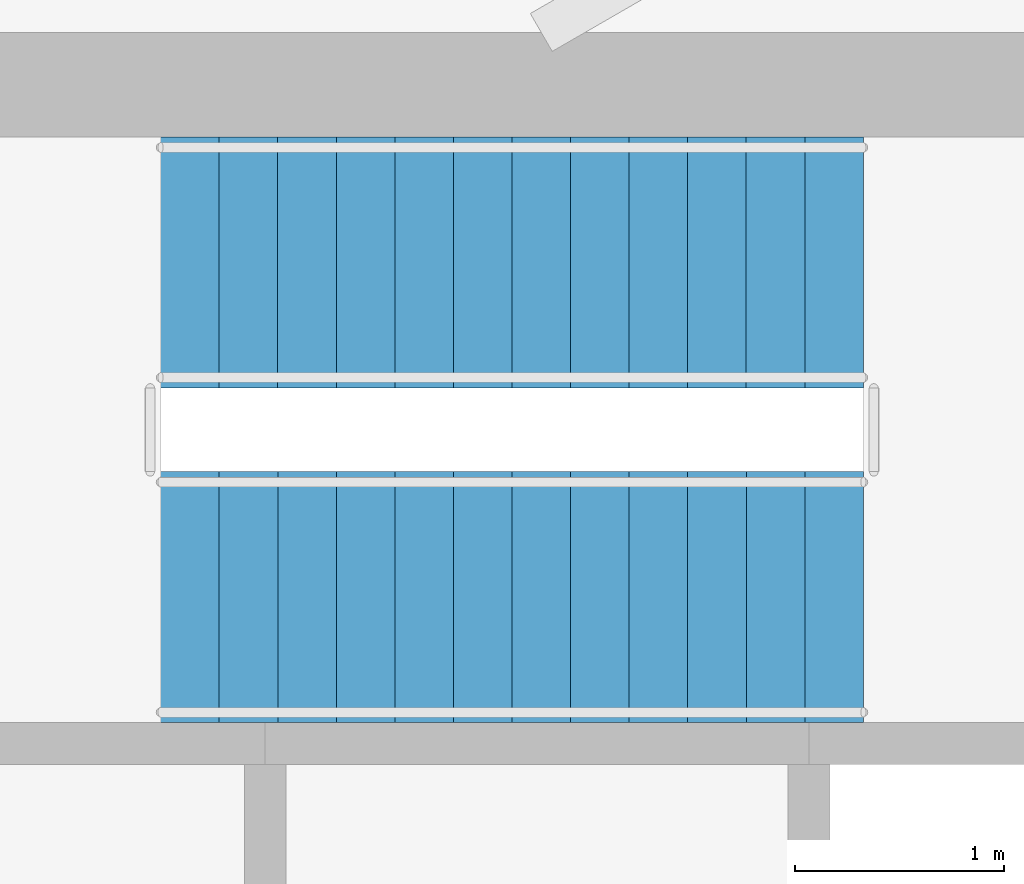
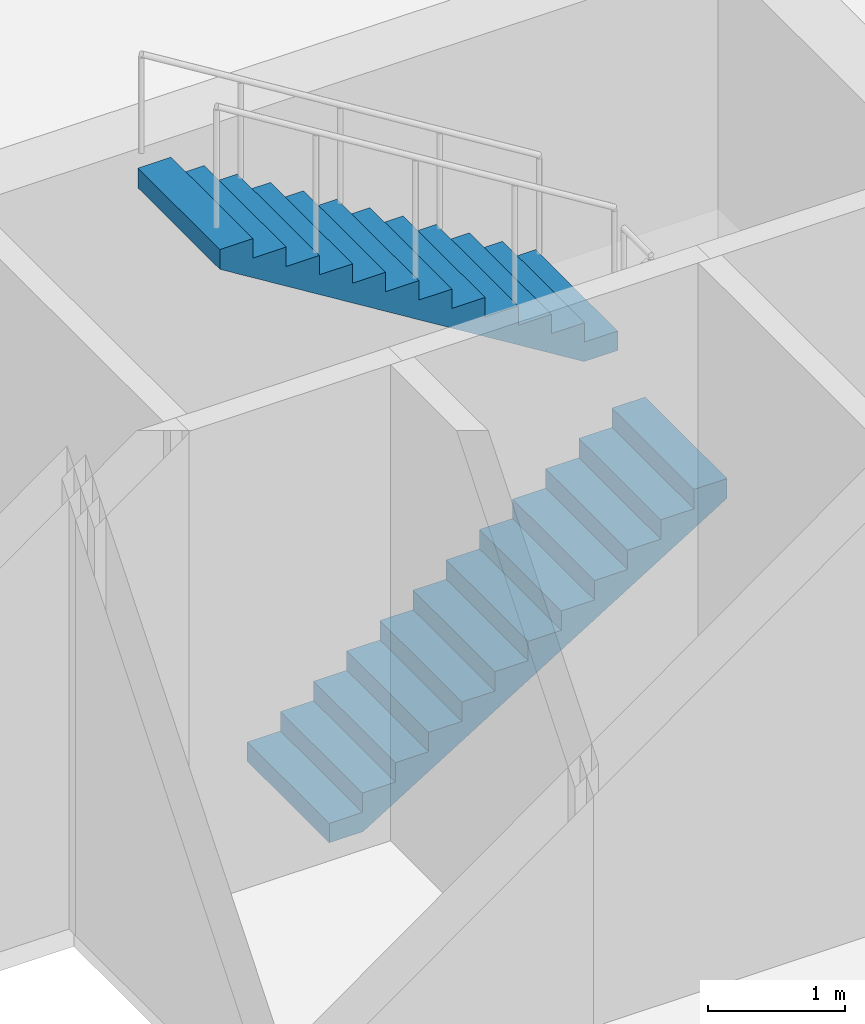
# One storey, part 8 of 10: 2 stair flights, 1 element without a shape of its own.
"""IFC4 building model written with IfcOpenShell, lengths in metres."""

from ifc_helpers import new_model, si_unit, direction, frame, origin, place, context, subcontext, project, spatial, polyline, outline, extrude, material, type_object, element, aggregate, save


model = new_model("IFC4")

# Units and contexts
model_context = context("Model", 3, precision=1e-05, world=origin(), true_north=direction((0.0, 1.0)))
body_context = subcontext(model_context, "Body", "Model", "MODEL_VIEW")
ifc_project = project(units=[si_unit("LENGTHUNIT", "METRE"), si_unit("AREAUNIT", "SQUARE_METRE"), si_unit("VOLUMEUNIT", "CUBIC_METRE"), si_unit("PLANEANGLEUNIT", "RADIAN"), si_unit("MASSUNIT", "GRAM", prefix="KILO")], contexts=[model_context])

# Site, building, storey
site_placement = place(None, origin())
site = spatial("IfcSite", under=ifc_project, at=site_placement, CompositionType="ELEMENT")
building_placement = place(site_placement, origin())
building = spatial("IfcBuilding", under=site, at=building_placement, Name="Sierra Prisma Convention Tower", CompositionType="ELEMENT")
storey_placement = place(building_placement, frame((0.0, 0.0, -4.5)))
storey = spatial("IfcBuildingStorey", under=building, at=storey_placement, Name="B1", CompositionType="ELEMENT", Elevation=-4.5)

# Stair, stair flights
ifc_material_1 = material(Name="Concrete C30/37", Category="concrete")
stair_type = type_object("IfcStairType", Name="Stair dog-leg 1200 RC", PredefinedType="HALF_TURN_STAIR", material=ifc_material_1)
stair_placement = place(storey_placement, origin())
stair = element("IfcStair", 1, at=stair_placement, inside=storey, type_object=stair_type, Name="B1 S4", PredefinedType="HALF_TURN_STAIR")
ifc_material_2 = material(Name="Concrete C30/37", Category="concrete")
stair_flight_type = type_object("IfcStairFlightType", Name="Stair flight RC 1200", PredefinedType="STRAIGHT", material=ifc_material_2)
stair_flight_1_placement = place(storey_placement, frame((5.60009765625, 5.300048828125, 0.0), z_axis=(0.0, 0.0, 1.0), x_axis=(1.0, 0.0, 0.0)))
stair_flight_1 = element("IfcStairFlight", 2, at=stair_flight_1_placement, type_object=stair_flight_type, Name="S4 flight 1", NumberOfRisers=13, NumberOfTreads=12, PredefinedType="STRAIGHT", RiserHeight=0.173076923, TreadLength=0.28, context=body_context, shape_type="SweptSolid", body=[
    extrude(outline(polyline([(0.0, 0.0), (0.0, 0.173095703125), (0.280029296875, 0.173095703125), (0.280029296875, 0.34619140625), (0.56005859375, 0.34619140625), (0.56005859375, 0.519287109375), (0.840087890625, 0.519287109375), (0.840087890625, 0.6923828125), (1.1201171875, 0.6923828125), (1.1201171875, 0.865478515625), (1.39990234375, 0.865478515625), (1.39990234375, 1.03857421875), (1.679931640625, 1.03857421875), (1.679931640625, 1.21142578125), (1.9599609375, 1.21142578125), (1.9599609375, 1.384521484375), (2.239990234375, 1.384521484375), (2.239990234375, 1.5576171875), (2.52001953125, 1.5576171875), (2.52001953125, 1.730712890625), (2.800048828125, 1.730712890625), (2.800048828125, 1.90380859375), (3.080078125, 1.90380859375), (3.080078125, 2.076904296875), (3.360107421875, 2.076904296875), (3.360107421875, 2.25), (3.360107421875, 1.900634765625), (0.28515625, 0.0), (0.0, 0.0)])), frame((0.0, 0.60009765625, 0.0), z_axis=(0.0, -1.0, 0.0), x_axis=(1.0, 0.0, 0.0)), (0.0, 0.0, 1.0), 1.199951171875),
])
stair_flight_2_placement = place(storey_placement, frame((8.9599609375, 6.89990234375, 2.25), z_axis=(0.0, 0.0, 1.0), x_axis=(-1.0, 0.0, 0.0)))
stair_flight_2 = element("IfcStairFlight", 3, at=stair_flight_2_placement, type_object=stair_flight_type, Name="S4 flight 2", NumberOfRisers=13, NumberOfTreads=12, PredefinedType="STRAIGHT", RiserHeight=0.173076923, TreadLength=0.28, context=body_context, shape_type="SweptSolid", body=[
    extrude(outline(polyline([(0.0, 0.0), (0.0, 0.173095703125), (0.280029296875, 0.173095703125), (0.280029296875, 0.34619140625), (0.56005859375, 0.34619140625), (0.56005859375, 0.519287109375), (0.840087890625, 0.519287109375), (0.840087890625, 0.6923828125), (1.1201171875, 0.6923828125), (1.1201171875, 0.865478515625), (1.39990234375, 0.865478515625), (1.39990234375, 1.03857421875), (1.679931640625, 1.03857421875), (1.679931640625, 1.21142578125), (1.9599609375, 1.21142578125), (1.9599609375, 1.384521484375), (2.239990234375, 1.384521484375), (2.239990234375, 1.5576171875), (2.52001953125, 1.5576171875), (2.52001953125, 1.730712890625), (2.800048828125, 1.730712890625), (2.800048828125, 1.90380859375), (3.080078125, 1.90380859375), (3.080078125, 2.076904296875), (3.360107421875, 2.076904296875), (3.360107421875, 2.25), (3.360107421875, 1.900634765625), (0.28515625, 0.0), (0.0, 0.0)])), frame((0.0, 0.60009765625, 0.0), z_axis=(0.0, -1.0, 0.0), x_axis=(1.0, 0.0, 0.0)), (0.0, 0.0, 1.0), 1.199951171875),
])
aggregate(stair, [stair_flight_1, stair_flight_2])

save(model, "model.ifc")
